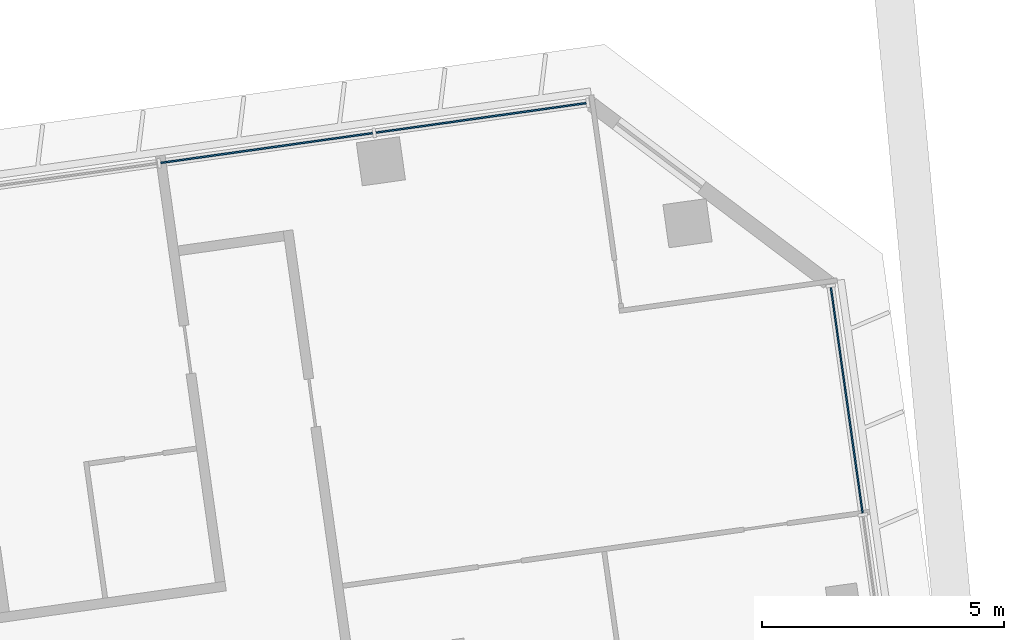
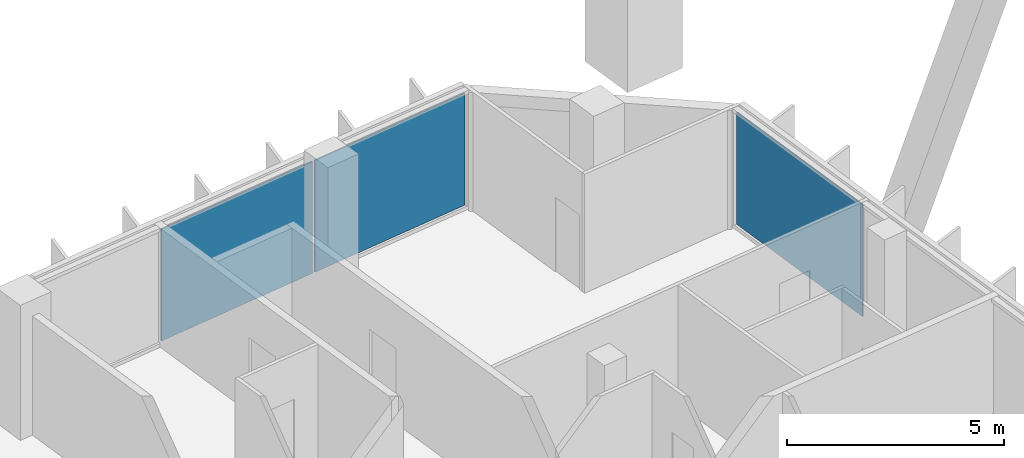
# One storey, part 20 of 33: 3 plates, 2 elements without a shape of their own.
"""IFC4 building model written with IfcOpenShell, lengths in metres."""

import ifcopenshell
import ifcopenshell.guid

model = None  # the IFC model being written
_history = None  # IfcOwnerHistory: only IFC2X3 demands one
_inside = {}  # id of a spatial element -> (the spatial element, [elements in it])
_under = {}  # id of a project, library or spatial element -> (it, [spatial elements below it])
_declared = {}  # id of a project -> (the project, [libraries it declares])
_typed = {}  # id of a type object -> (the type object, [elements of that type])
_made_of = {}  # id of a material, layer set ... -> (it, [elements and type objects made of it])


def new_model(schema):
    """Start an empty IFC model of exactly this schema.

    Asked for "IFC4X3", IfcOpenShell would pick the latest addendum, in which some entities
    have other attributes; the version numbers below select the first issue.
    IFC2X3 requires an IfcOwnerHistory on every rooted entity: one is made here for all.
    """
    global model, _history
    if schema == "IFC4X3":
        model = ifcopenshell.file(schema_version=(4, 3, 0, 0))
    else:
        model = ifcopenshell.file(schema=schema)
    _inside.clear()
    _under.clear()
    _declared.clear()
    _typed.clear()
    _made_of.clear()
    _history = None
    if model.schema == "IFC2X3":
        org = make("IfcOrganization", Name="unknown")
        user = make(
            "IfcPersonAndOrganization",
            ThePerson=make("IfcPerson", FamilyName="unknown"),
            TheOrganization=org,
        )
        app = make(
            "IfcApplication",
            ApplicationDeveloper=org,
            Version="unknown",
            ApplicationFullName="unknown",
            ApplicationIdentifier="unknown",
        )
        _history = make(
            "IfcOwnerHistory",
            OwningUser=user,
            OwningApplication=app,
            ChangeAction="ADDED",
            CreationDate=0,
        )
    return model


def make(cls, **values):
    """One entity of the class cls with the attributes given. An attribute that is None is left unset."""
    return model.create_entity(
        cls, **{name: value for name, value in values.items() if value is not None}
    )


def rooted(cls, **values):
    """An entity with a GlobalId (a new one), such as an element, a storey or a relation."""
    return make(cls, GlobalId=ifcopenshell.guid.new(), OwnerHistory=_history, **values)


def si_unit(unit_type, name, prefix=None):
    """IfcSIUnit, for example si_unit("LENGTHUNIT", "METRE", prefix="MILLI")."""
    return make("IfcSIUnit", UnitType=unit_type, Prefix=prefix, Name=name)


def assignment(units):
    """IfcUnitAssignment: the units of a project."""
    return None if units is None else make("IfcUnitAssignment", Units=units)


def point(xyz):
    """IfcCartesianPoint."""
    return None if xyz is None else make("IfcCartesianPoint", Coordinates=xyz)


def direction(xyz):
    """IfcDirection."""
    return None if xyz is None else make("IfcDirection", DirectionRatios=xyz)


def frame(location, z_axis=None, x_axis=None):
    """IfcAxis2Placement3D, a coordinate frame: its origin and axes. An axis left out is left unset."""
    return make(
        "IfcAxis2Placement3D",
        Location=point(location),
        Axis=direction(z_axis),
        RefDirection=direction(x_axis),
    )


def frame_2d(location, x_axis=None):
    """IfcAxis2Placement2D, a coordinate frame in the plane: its origin and x axis."""
    return make(
        "IfcAxis2Placement2D", Location=point(location), RefDirection=direction(x_axis)
    )


def origin():
    """The frame at (0, 0, 0) with its axes left unset."""
    return frame((0.0, 0.0, 0.0))


def origin_2d():
    """The frame at (0, 0) in the plane with its x axis left unset."""
    return frame_2d((0.0, 0.0))


def place(relative_to, where):
    """IfcLocalPlacement: puts the frame where relative to a parent placement (None: the world)."""
    return make(
        "IfcLocalPlacement", PlacementRelTo=relative_to, RelativePlacement=where
    )


def context(
    kind, dimensions, precision=None, world=None, true_north=None, identifier=None
):
    """IfcGeometricRepresentationContext, for example the 3D "Model" context."""
    return make(
        "IfcGeometricRepresentationContext",
        ContextIdentifier=identifier,
        ContextType=kind,
        CoordinateSpaceDimension=dimensions,
        Precision=precision,
        WorldCoordinateSystem=world,
        TrueNorth=true_north,
    )


def subcontext(parent, identifier, kind, view, scale=None):
    """IfcGeometricRepresentationSubContext, for example "Body" below "Model"."""
    return make(
        "IfcGeometricRepresentationSubContext",
        ContextIdentifier=identifier,
        ContextType=kind,
        ParentContext=parent,
        TargetScale=scale,
        TargetView=view,
    )


def project(units=None, contexts=None):
    """IfcProject with its units and contexts."""
    return rooted(
        "IfcProject",
        Name="project",
        RepresentationContexts=contexts,
        UnitsInContext=assignment(units),
    )


def spatial(cls, under=None, at=None, **own):
    """A site, building, storey or space (cls), placed at a placement, below another one or the project."""
    s = rooted(cls, ObjectPlacement=at, **own)
    if under is not None:
        _under.setdefault(under.id(), (under, []))[1].append(s)
    return s


def profile(cls, at=None, kind="AREA", **sizes):
    """A parametric profile (cls). Its sizes go by their IFC names, for example OverallWidth=200.0."""
    return make(cls, ProfileType=kind, Position=at, **sizes)


def rectangle(**sizes):
    """IfcRectangleProfileDef."""
    return profile("IfcRectangleProfileDef", **sizes)


def extrude(swept, where, along, depth):
    """IfcExtrudedAreaSolid: the profile swept, set in the frame where, extruded along a direction by depth."""
    return make(
        "IfcExtrudedAreaSolid",
        SweptArea=swept,
        Position=where,
        ExtrudedDirection=direction(along),
        Depth=depth,
    )


def shape(context_of_items, identifier, shape_type, items):
    """IfcShapeRepresentation: the items that make up one representation, for example the "Body"."""
    return make(
        "IfcShapeRepresentation",
        ContextOfItems=context_of_items,
        RepresentationIdentifier=identifier,
        RepresentationType=shape_type,
        Items=items,
    )


def material(Name=None, Category=None):
    """IfcMaterial."""
    return make("IfcMaterial", Name=Name, Category=Category)


def layer(
    of_material, thickness, ventilated=None, Name=None, Category=None, Priority=None
):
    """IfcMaterialLayer: one layer of a wall or slab, of a material (None: an air gap)."""
    return make(
        "IfcMaterialLayer",
        Material=of_material,
        LayerThickness=thickness,
        IsVentilated=ventilated,
        Name=Name,
        Category=Category,
        Priority=Priority,
    )


def layer_set(layers, Name=None):
    """IfcMaterialLayerSet."""
    return make("IfcMaterialLayerSet", MaterialLayers=layers, LayerSetName=Name)


def made_of(thing, what):
    """Note that an element or type object is made of a material, layer set ...; save() writes the relation."""
    if what is not None:
        _made_of.setdefault(what.id(), (what, []))[1].append(thing)
    return thing


def type_object(cls, material=None, **own):
    """A type object (cls), such as IfcWallType, which elements share."""
    return made_of(rooted(cls, **own), material)


def element(
    cls,
    number,
    at=None,
    inside=None,
    cuts=None,
    type_object=None,
    material=None,
    context=None,
    identifier="Body",
    shape_type=None,
    held_by="IfcProductDefinitionShape",
    body=None,
    shapes=None,
    **own,
):
    """One element of the class cls, such as IfcWall. Its Tag is "e" and its number.

    at: its placement. inside: the storey or other place that contains it. cuts: it is an
    opening in that element (IfcRelVoidsElement). A single representation is given by context,
    identifier, shape_type and body (its items); several are given by shapes. held_by: the class
    of the entity that holds the representations. save() writes the other relations.
    """
    e = rooted(cls, Tag="e%d" % number, ObjectPlacement=at, **own)
    if body is not None:
        shapes = [shape(context, identifier, shape_type, body)]
    if shapes is not None:
        e.Representation = make(held_by, Representations=shapes)
    if inside is not None:
        _inside.setdefault(inside.id(), (inside, []))[1].append(e)
    if cuts is not None:
        rooted(
            "IfcRelVoidsElement", RelatingBuildingElement=cuts, RelatedOpeningElement=e
        )
    if type_object is not None:
        _typed.setdefault(type_object.id(), (type_object, []))[1].append(e)
    return made_of(e, material)


def aggregate(whole, parts):
    """IfcRelAggregates: a whole, such as a stair, and the parts it consists of."""
    return rooted("IfcRelAggregates", RelatingObject=whole, RelatedObjects=parts)


def save(model, path):
    """Write the relations noted so far, then the file.

    IfcRelAggregates (storeys below a building ...), IfcRelContainedInSpatialStructure (elements
    in a storey), IfcRelDefinesByType, IfcRelAssociatesMaterial and IfcRelDeclares: one each for
    every whole, place, type object, material and project.
    """
    for whole, parts in _under.values():
        aggregate(whole, parts)
    for where, things in _inside.values():
        rooted(
            "IfcRelContainedInSpatialStructure",
            RelatedElements=things,
            RelatingStructure=where,
        )
    for kind, things in _typed.values():
        rooted("IfcRelDefinesByType", RelatedObjects=things, RelatingType=kind)
    for what, things in _made_of.values():
        rooted("IfcRelAssociatesMaterial", RelatedObjects=things, RelatingMaterial=what)
    for by, libraries in _declared.values():
        rooted("IfcRelDeclares", RelatingContext=by, RelatedDefinitions=libraries)
    model.write(path)


model = new_model("IFC4")

# Units and contexts
model_context = context("Model", 3, precision=1e-05, world=origin(), true_north=direction((0.0, 1.0)))
body_context = subcontext(model_context, "Body", "Model", "MODEL_VIEW")
ifc_project = project(units=[si_unit("LENGTHUNIT", "METRE"), si_unit("AREAUNIT", "SQUARE_METRE"), si_unit("VOLUMEUNIT", "CUBIC_METRE"), si_unit("PLANEANGLEUNIT", "RADIAN"), si_unit("MASSUNIT", "GRAM", prefix="KILO")], contexts=[model_context])

# Site, building, storey
site_placement = place(None, origin())
site = spatial("IfcSite", under=ifc_project, at=site_placement, CompositionType="ELEMENT")
building_placement = place(site_placement, origin())
building = spatial("IfcBuilding", under=site, at=building_placement, Name="Mirante Cascada Hotel Towers", CompositionType="ELEMENT")
storey_placement = place(building_placement, frame((0.0, 0.0, 121.5)))
storey = spatial("IfcBuildingStorey", under=building, at=storey_placement, Name="L27", CompositionType="ELEMENT", Elevation=121.5)

# Curtain wall, plates
ifc_material_1 = material(Name="Aluminium mullion and transom frame with clear laminated glass", Category="aluminium")
curtain_wall_type_1 = type_object("IfcCurtainWallType", Name="Ribbon curtain wall ECW1", PredefinedType="NOTDEFINED", material=ifc_material_1)
curtain_wall_1_placement = place(storey_placement, origin())
curtain_wall_1 = element("IfcCurtainWall", 1, at=curtain_wall_1_placement, inside=storey, type_object=curtain_wall_type_1, Name="Front ribbon wall T2 L27", PredefinedType="NOTDEFINED")
ifc_material_2 = material(Name="Clear laminated glass", Category="glass")
ifc_layer_1 = layer(ifc_material_2, 0.036)
ifc_layer_set_1 = layer_set([ifc_layer_1], Name="ECW1 glass panel 36")
plate_type_1 = type_object("IfcPlateType", Name="ECW1 glass panel 36", PredefinedType="CURTAIN_PANEL", material=ifc_layer_set_1)
plate_1_placement = place(storey_placement, frame((91.9184, 25.7373, 0.1), z_axis=(0.0, 0.0, 1.0), x_axis=(-0.9902681, -0.1391731, 0.0)))
plate_1 = element("IfcPlate", 2, at=plate_1_placement, type_object=plate_type_1, Name="ECW1 panel 1", PredefinedType="CURTAIN_PANEL", context=body_context, shape_type="SweptSolid", body=[
    extrude(rectangle(XDim=4.3936, YDim=0.036, at=origin_2d()), origin(), (0.0, 0.0, 1.0), 3.15),
])
plate_2_placement = place(storey_placement, frame((87.487, 25.1145, 0.1), z_axis=(0.0, 0.0, 1.0), x_axis=(-0.9902681, -0.1391731, 0.0)))
plate_2 = element("IfcPlate", 3, at=plate_2_placement, type_object=plate_type_1, Name="ECW1 panel 2", PredefinedType="CURTAIN_PANEL", context=body_context, shape_type="SweptSolid", body=[
    extrude(rectangle(XDim=4.4261, YDim=0.036, at=origin_2d()), origin(), (0.0, 0.0, 1.0), 3.15),
])
aggregate(curtain_wall_1, [plate_1, plate_2])

# Curtain wall, plate
ifc_material_3 = material(Name="Aluminium mullion and transom frame with clear laminated glass", Category="aluminium")
curtain_wall_type_2 = type_object("IfcCurtainWallType", Name="End ribbon curtain wall ECW2", PredefinedType="NOTDEFINED", material=ifc_material_3)
curtain_wall_2_placement = place(storey_placement, origin())
curtain_wall_2 = element("IfcCurtainWall", 4, at=curtain_wall_2_placement, inside=storey, type_object=curtain_wall_type_2, Name="Outer end wall T2 L27", PredefinedType="NOTDEFINED")
ifc_material_4 = material(Name="Insulated aluminium spandrel panel", Category="aluminium")
ifc_layer_2 = layer(ifc_material_4, 0.034)
ifc_layer_set_2 = layer_set([ifc_layer_2], Name="ECW2 spandrel panel 34")
plate_type_2 = type_object("IfcPlateType", Name="ECW2 spandrel panel 34", PredefinedType="CURTAIN_PANEL", material=ifc_layer_set_2)
plate_3_placement = place(storey_placement, frame((99.4786, 19.898, 0.1), z_axis=(0.0, 0.0, 1.0), x_axis=(-0.1391731, 0.9902681, 0.0)))
plate_3 = element("IfcPlate", 5, at=plate_3_placement, type_object=plate_type_2, Name="ECW2 panel 6", PredefinedType="CURTAIN_PANEL", context=body_context, shape_type="SweptSolid", body=[
    extrude(rectangle(XDim=4.7151, YDim=0.034, at=origin_2d()), origin(), (0.0, 0.0, 1.0), 3.15),
])
aggregate(curtain_wall_2, [plate_3])

save(model, "model.ifc")
